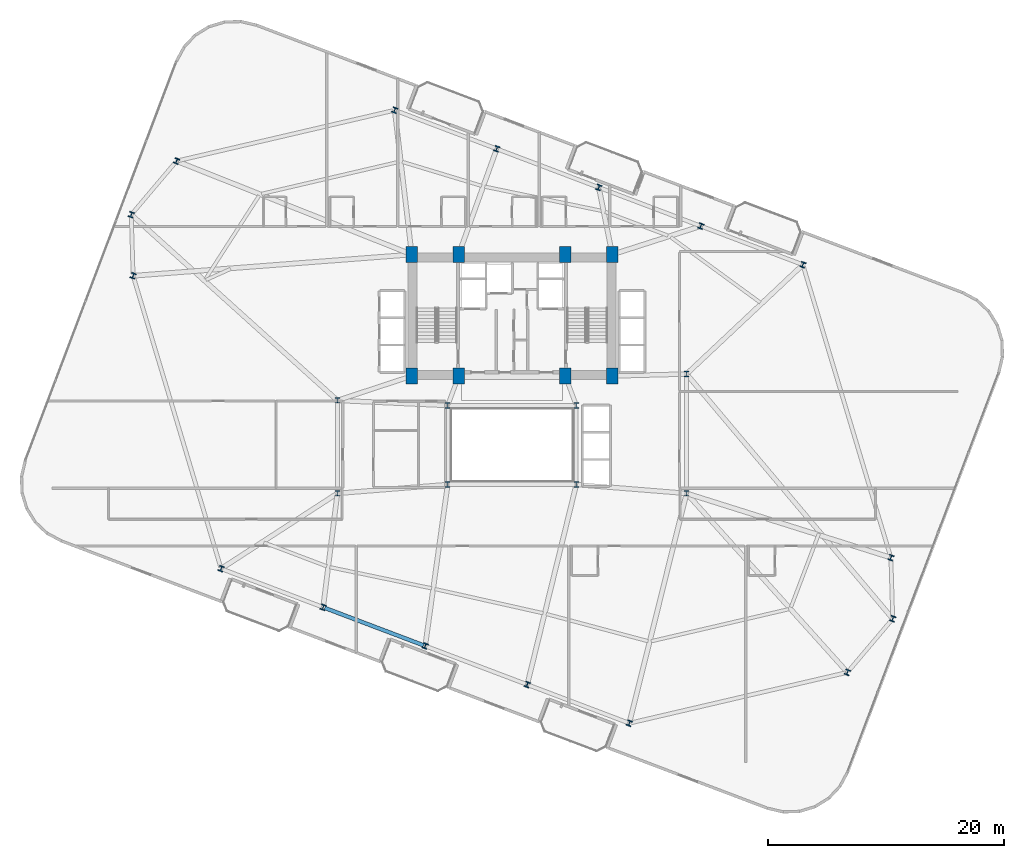
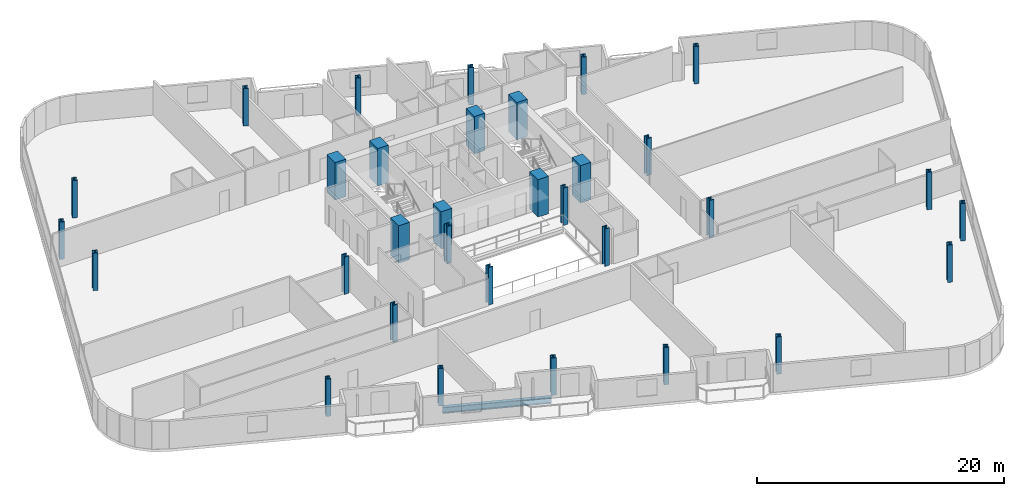
# One storey, part 1 of 24: 32 columns, 1 beam.
"""IFC4 building model written with IfcOpenShell, lengths in metres."""

from ifc_helpers import new_model, si_unit, direction, frame, origin, origin_2d, place, context, subcontext, project, spatial, rectangle, i_section, extrude, material, material_profile, profile_set, type_object, element, save


model = new_model("IFC4")

# Units and contexts
model_context = context("Model", 3, precision=1e-05, world=origin(), true_north=direction((0.0, 1.0)))
body_context = subcontext(model_context, "Body", "Model", "MODEL_VIEW")
ifc_project = project(units=[si_unit("LENGTHUNIT", "METRE"), si_unit("AREAUNIT", "SQUARE_METRE"), si_unit("VOLUMEUNIT", "CUBIC_METRE"), si_unit("PLANEANGLEUNIT", "RADIAN"), si_unit("MASSUNIT", "GRAM", prefix="KILO")], contexts=[model_context])

# Site, building, storey
site_placement = place(None, origin())
site = spatial("IfcSite", under=ifc_project, at=site_placement, CompositionType="ELEMENT")
building_placement = place(site_placement, origin())
building = spatial("IfcBuilding", under=site, at=building_placement, Name="Varnelok Gate Tower", CompositionType="ELEMENT")
storey_placement = place(building_placement, frame((0.0, 0.0, 87.300048828125)))
storey = spatial("IfcBuildingStorey", under=building, at=storey_placement, Name="L21", CompositionType="ELEMENT", Elevation=87.300048828125)

# Columns
ifc_material_1 = material(Name="Concrete C70/85", Category="concrete")
ifc_material_profile_1 = material_profile(ifc_material_1, rectangle(XDim=1.0, YDim=1.35009765625, at=origin_2d()), Name="RC1350X1000")
ifc_profile_set_1 = profile_set([ifc_material_profile_1], Name="Concrete C70/85")
column_type_1 = type_object("IfcColumnType", Name="COL-RC1350X1000", PredefinedType="COLUMN", material=ifc_profile_set_1)
for number, where, z_axis, x_axis, name in (
    (1, (30.699951171875, 28.75, 0.0), (0.0, 0.0, 1.0), (1.0, 0.0, 0.0), "L21 Core Spine Column SC1"),
    (2, (34.679931640625, 28.75, 0.0), (0.0, 0.0, 1.0), (1.0, 0.0, 0.0), "L21 Core Spine Column SC2"),
    (3, (43.719970703125, 28.75, 0.0), (0.0, 0.0, 1.0), (1.0, 0.0, 0.0), "L21 Core Spine Column SC3"),
    (4, (47.699951171875, 28.75, 0.0), (0.0, 0.0, 1.0), (1.0, 0.0, 0.0), "L21 Core Spine Column SC4"),
    (5, (30.699951171875, 39.050048828125, 0.0), (0.0, 0.0, 1.0), (1.0, 0.0, 0.0), "L21 Core Spine Column SC5"),
    (6, (34.679931640625, 39.050048828125, 0.0), (0.0, 0.0, 1.0), (1.0, 0.0, 0.0), "L21 Core Spine Column SC6"),
    (7, (43.719970703125, 39.050048828125, 0.0), (0.0, 0.0, 1.0), (1.0, 0.0, 0.0), "L21 Core Spine Column SC7"),
    (8, (47.699951171875, 39.050048828125, 0.0), (0.0, 0.0, 1.0), (1.0, 0.0, 0.0), "L21 Core Spine Column SC8"),
):
    element("IfcColumn", number, at=place(storey_placement, frame(where, z_axis=z_axis, x_axis=x_axis)), inside=storey, type_object=column_type_1, Name=name, PredefinedType="COLUMN", context=body_context, shape_type="SweptSolid", body=[
        extrude(rectangle(XDim=1.0, YDim=1.35009765625, at=origin_2d()), origin(), (0.0, 0.0, 1.0), 3.699951171875),
    ])
ifc_material_2 = material(Name="Structural Steel ASTM A992 Grade 50", Category="steel")
ifc_material_profile_2 = material_profile(ifc_material_2, i_section(OverallWidth=0.424072265625, OverallDepth=0.47412109375, WebThickness=0.047607421875, FlangeThickness=0.0771484375, FilletRadius=0.02490234375, at=origin_2d()), Name="W14X426")
ifc_profile_set_2 = profile_set([ifc_material_profile_2], Name="Structural Steel ASTM A992 Grade 50")
column_type_2 = type_object("IfcColumnType", Name="COL-W14X426", PredefinedType="COLUMN", material=ifc_profile_set_2)
for number, where, z_axis, x_axis, name in (
    (9, (33.75, 19.550048828125, 0.0), (0.0, 0.0, 1.0), (1.0, 0.0, 0.0), "L21 Atrium Spine Column AC1"),
    (10, (44.64990234375, 19.550048828125, 0.0), (0.0, 0.0, 1.0), (1.0, 0.0, 0.0), "L21 Atrium Spine Column AC2"),
    (11, (33.75, 26.25, 0.0), (0.0, 0.0, 1.0), (1.0, 0.0, 0.0), "L21 Atrium Spine Column AC3"),
    (12, (44.64990234375, 26.25, 0.0), (0.0, 0.0, 1.0), (1.0, 0.0, 0.0), "L21 Atrium Spine Column AC4"),
    (13, (24.39990234375, 18.800048828125, 0.0), (0.0, 0.0, 1.0), (1.0, 0.0, 0.0), "L21 Wing Spine Column WS1"),
    (14, (24.39990234375, 26.679931640625, 0.0), (0.0, 0.0, 1.0), (1.0, 0.0, 0.0), "L21 Wing Spine Column WS2"),
    (15, (54.0, 18.800048828125, 0.0), (0.0, 0.0, 1.0), (1.0, 0.0, 0.0), "L21 Wing Spine Column ES1"),
    (16, (54.0, 28.919921875, 0.0), (0.0, 0.0, 1.0), (1.0, 0.0, 0.0), "L21 Wing Spine Column ES2"),
    (17, (14.541015625, 12.416259765625, 0.0), (0.0, 0.0, 1.0), (0.935221751401, -0.354062530786, 0.0), "L21 B2 Perimeter Column PC01"),
    (18, (23.19189453125, 9.14111328125, 0.0), (0.0, 0.0, 1.0), (0.935221751401, -0.354062530786, 0.0), "L21 B2 Perimeter Column PC02"),
    (19, (31.842529296875, 5.8662109375, 0.0), (0.0, 0.0, 1.0), (0.935221751401, -0.354062530786, 0.0), "L21 B2 Perimeter Column PC03"),
    (20, (40.493408203125, 2.591064453125, 0.0), (0.0, 0.0, 1.0), (0.935221751401, -0.354062530786, 0.0), "L21 B2 Perimeter Column PC04"),
    (21, (49.144287109375, -0.68408203125, 0.0), (0.0, 0.0, 1.0), (0.935221751401, -0.354062530786, 0.0), "L21 B2 Perimeter Column PC05"),
    (22, (67.63671875, 3.627685546875, 0.0), (0.0, 0.0, 1.0), (0.935221751401, -0.354062530786, 0.0), "L21 B2 Perimeter Column PC06"),
    (23, (71.4765625, 8.172607421875, 0.0), (0.0, 0.0, 1.0), (0.935221751401, -0.354062530786, 0.0), "L21 B2 Perimeter Column PC07"),
    (24, (71.319091796875, 13.35400390625, 0.0), (0.0, 0.0, 1.0), (0.935221751401, -0.354062530786, 0.0), "L21 B2 Perimeter Column PC08"),
    (25, (63.85888671875, 38.183837890625, 0.0), (0.0, 0.0, 1.0), (0.935221751401, -0.354062530786, 0.0), "L21 B2 Perimeter Column PC09"),
    (26, (55.208251953125, 41.458740234375, 0.0), (0.0, 0.0, 1.0), (0.935221751401, -0.354062530786, 0.0), "L21 B2 Perimeter Column PC10"),
    (27, (46.557373046875, 44.73388671875, 0.0), (0.0, 0.0, 1.0), (0.935221751401, -0.354062530786, 0.0), "L21 B2 Perimeter Column PC11"),
    (28, (37.906494140625, 48.009033203125, 0.0), (0.0, 0.0, 1.0), (0.935221751401, -0.354062530786, 0.0), "L21 B2 Perimeter Column PC12"),
    (29, (29.255859375, 51.2841796875, 0.0), (0.0, 0.0, 1.0), (0.935221751401, -0.354062530786, 0.0), "L21 B2 Perimeter Column PC13"),
    (30, (10.76318359375, 46.972412109375, 0.0), (0.0, 0.0, 1.0), (0.935221751401, -0.354062530786, 0.0), "L21 B2 Perimeter Column PC14"),
    (31, (6.92333984375, 42.427490234375, 0.0), (0.0, 0.0, 1.0), (0.935221751401, -0.354062530786, 0.0), "L21 B2 Perimeter Column PC15"),
    (32, (7.0810546875, 37.24609375, 0.0), (0.0, 0.0, 1.0), (0.935221751401, -0.354062530786, 0.0), "L21 B2 Perimeter Column PC16"),
):
    element("IfcColumn", number, at=place(storey_placement, frame(where, z_axis=z_axis, x_axis=x_axis)), inside=storey, type_object=column_type_2, Name=name, PredefinedType="COLUMN", context=body_context, shape_type="SweptSolid", body=[
        extrude(i_section(OverallWidth=0.424072265625, OverallDepth=0.47412109375, WebThickness=0.047607421875, FlangeThickness=0.0771484375, FilletRadius=0.02490234375, at=origin_2d()), origin(), (0.0, 0.0, 1.0), 3.699951171875),
    ])

# Beam
ifc_material_profile_3 = material_profile(ifc_material_2, i_section(OverallWidth=0.323974609375, OverallDepth=0.611083984375, WebThickness=0.0126953125, FlangeThickness=0.01904296875, FilletRadius=0.01806640625, at=origin_2d()), Name="W24X104")
ifc_profile_set_3 = profile_set([ifc_material_profile_3], Name="Structural Steel ASTM A992 Grade 50")
beam_type = type_object("IfcBeamType", Name="BM-SPN-W24X104", PredefinedType="SPANDREL", material=ifc_profile_set_3)
beam_placement = place(storey_placement, frame((23.33203125, 9.088134765625, -0.5556640625), z_axis=(0.935220356141, -0.354066216208, 0.0), x_axis=(0.354066216208, 0.935220356141, 0.0)))
element("IfcBeam", 33, at=beam_placement, inside=storey, type_object=beam_type, Name="L21 Perimeter Spandrel Beam 2", PredefinedType="SPANDREL", context=body_context, shape_type="SweptSolid", body=[
    extrude(i_section(OverallWidth=0.323974609375, OverallDepth=0.611083984375, WebThickness=0.0126953125, FlangeThickness=0.01904296875, FilletRadius=0.01806640625, at=origin_2d()), origin(), (0.0, 0.0, 1.0), 8.9501953125),
])

save(model, "model.ifc")
